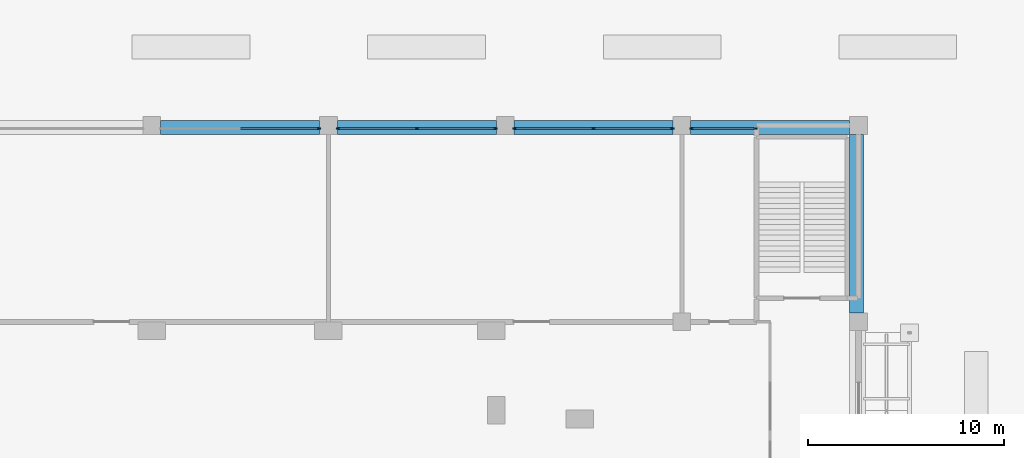
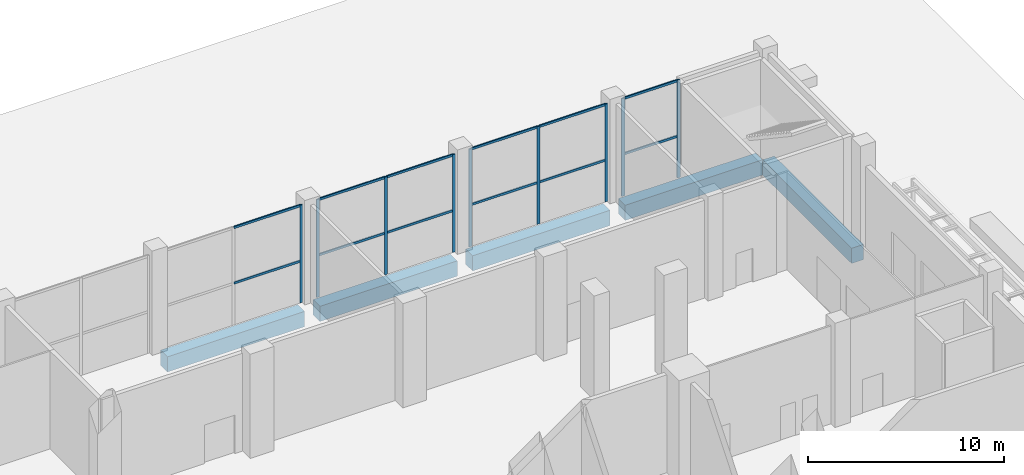
# One storey, part 26 of 39: 21 members, 5 beams, 4 elements without a shape of their own.
"""IFC4 building model written with IfcOpenShell, lengths in metres."""

from ifc_helpers import new_model, si_unit, direction, frame, origin, origin_2d, place, context, subcontext, project, spatial, rectangle, extrude, material, layer, layer_set, material_profile, profile_set, type_object, element, aggregate, save


model = new_model("IFC4")

# Units and contexts
model_context = context("Model", 3, precision=1e-05, world=origin(), true_north=direction((0.0, 1.0)))
body_context = subcontext(model_context, "Body", "Model", "MODEL_VIEW")
ifc_project = project(units=[si_unit("LENGTHUNIT", "METRE"), si_unit("AREAUNIT", "SQUARE_METRE"), si_unit("VOLUMEUNIT", "CUBIC_METRE"), si_unit("PLANEANGLEUNIT", "RADIAN"), si_unit("MASSUNIT", "GRAM", prefix="KILO")], contexts=[model_context])

# Site, building, storey
site_placement = place(None, origin())
site = spatial("IfcSite", under=ifc_project, at=site_placement, CompositionType="ELEMENT")
building_placement = place(site_placement, origin())
building = spatial("IfcBuilding", under=site, at=building_placement, Name="Brigalow Station Residences", CompositionType="ELEMENT")
storey_placement = place(building_placement, origin())
storey = spatial("IfcBuildingStorey", under=building, at=storey_placement, Name="L00", CompositionType="ELEMENT", Elevation=0.0)

# Beams
ifc_material_1 = material(Name="Concrete C65", Category="concrete")
ifc_material_profile_1 = material_profile(ifc_material_1, rectangle(XDim=0.699951171875, YDim=0.949951171875, at=origin_2d()), Name="RC700x950")
ifc_profile_set_1 = profile_set([ifc_material_profile_1], Name="Concrete C65")
beam_type = type_object("IfcBeamType", Name="EDGE GIRDER 4.5 TO 9.9 M SPAN 700x950 C65", PredefinedType="BEAM", material=ifc_profile_set_1)
beam_placement = place(storey_placement, frame((89.89990234375, 48.949951171875, -0.876953125), z_axis=(0.0, 1.0, 0.0), x_axis=(-1.0, 0.0, 0.0)))
element("IfcBeam", 1, at=beam_placement, inside=storey, type_object=beam_type, Name="PODIUM EDGE GIRDER E18 L00", PredefinedType="BEAM", context=body_context, shape_type="SweptSolid", body=[
    extrude(rectangle(XDim=0.699951171875, YDim=0.949951171875, at=origin_2d()), origin(), (0.0, 0.0, 1.0), 9.10009765625),
])
for number, where, z_axis, x_axis, name in (
    (2, (54.449951171875, 58.39990234375, -0.876953125), (1.0, 0.0, 0.0), (0.0, 1.0, 0.0), "PODIUM EDGE GIRDER N27 L00"),
    (3, (63.449951171875, 58.39990234375, -0.876953125), (1.0, 0.0, 0.0), (0.0, 1.0, 0.0), "PODIUM EDGE GIRDER N28 L00"),
    (4, (72.449951171875, 58.39990234375, -0.876953125), (1.0, 0.0, 0.0), (0.0, 1.0, 0.0), "PODIUM EDGE GIRDER N29 L00"),
    (5, (81.449951171875, 58.39990234375, -0.876953125), (1.0, 0.0, 0.0), (0.0, 1.0, 0.0), "PODIUM EDGE GIRDER N30 L00"),
):
    element("IfcBeam", number, at=place(storey_placement, frame(where, z_axis=z_axis, x_axis=x_axis)), inside=storey, type_object=beam_type, Name=name, PredefinedType="BEAM", context=body_context, shape_type="SweptSolid", body=[
        extrude(rectangle(XDim=0.699951171875, YDim=0.949951171875, at=origin_2d()), origin(), (0.0, 0.0, 1.0), 8.10009765625),
    ])

# Curtain wall, members
ifc_material_2 = material(Name="Aluminium", Category="aluminium")
ifc_layer = layer(ifc_material_2, 0.179931640625)
ifc_layer_set = layer_set([ifc_layer], Name="STATION CONCOURSE SHOPFRONT GLAZING CURTAIN WALL")
curtain_wall_type = type_object("IfcCurtainWallType", Name="STATION CONCOURSE SHOPFRONT GLAZING CURTAIN WALL", PredefinedType="NOTDEFINED", material=ifc_layer_set)
curtain_wall_1_placement = place(storey_placement, origin())
curtain_wall_1 = element("IfcCurtainWall", 6, at=curtain_wall_1_placement, inside=storey, type_object=curtain_wall_type, Name="L00/cw/podium-W-L00-19-3", PredefinedType="NOTDEFINED")
ifc_material_3 = material(Name="Aluminium", Category="aluminium")
ifc_material_profile_2 = material_profile(ifc_material_3, rectangle(XDim=0.074951171875, YDim=0.179931640625, at=origin_2d()), Name="STATION CONCOURSE SHOPFRONT GLAZING MULLION 75x180")
ifc_profile_set_2 = profile_set([ifc_material_profile_2], Name="Aluminium")
member_type_1 = type_object("IfcMemberType", Name="STATION CONCOURSE SHOPFRONT GLAZING MULLION 75x180", PredefinedType="MULLION", material=ifc_profile_set_2)
member_1_placement = place(storey_placement, frame((84.762451171875, 58.35009765625, 0.0), z_axis=(0.0, 0.0, 1.0), x_axis=(0.0, -1.0, 0.0)))
member_1 = element("IfcMember", 7, at=member_1_placement, type_object=member_type_1, Name="L00/cw/podium-W-L00-19-3/M00", PredefinedType="MULLION", context=body_context, shape_type="SweptSolid", body=[
    extrude(rectangle(XDim=0.074951171875, YDim=0.179931640625, at=origin_2d()), origin(), (0.0, 0.0, 1.0), 6.097900390625),
])
member_2_placement = place(storey_placement, frame((81.487548828125, 58.35009765625, 0.0), z_axis=(0.0, 0.0, 1.0), x_axis=(0.0, -1.0, 0.0)))
member_2 = element("IfcMember", 8, at=member_2_placement, type_object=member_type_1, Name="L00/cw/podium-W-L00-19-3/M01", PredefinedType="MULLION", context=body_context, shape_type="SweptSolid", body=[
    extrude(rectangle(XDim=0.074951171875, YDim=0.179931640625, at=origin_2d()), origin(), (0.0, 0.0, 1.0), 6.097900390625),
])

curtain_wall_2_placement = place(storey_placement, origin())
curtain_wall_2 = element("IfcCurtainWall", 9, at=curtain_wall_2_placement, inside=storey, type_object=curtain_wall_type, Name="L00/cw/podium-W-L00-19-4", PredefinedType="NOTDEFINED")
member_3_placement = place(storey_placement, frame((80.512451171875, 58.35009765625, 0.0), z_axis=(0.0, 0.0, 1.0), x_axis=(0.0, -1.0, 0.0)))
member_3 = element("IfcMember", 10, at=member_3_placement, type_object=member_type_1, Name="L00/cw/podium-W-L00-19-4/M00", PredefinedType="MULLION", context=body_context, shape_type="SweptSolid", body=[
    extrude(rectangle(XDim=0.074951171875, YDim=0.179931640625, at=origin_2d()), origin(), (0.0, 0.0, 1.0), 6.097900390625),
])
member_4_placement = place(storey_placement, frame((76.5, 58.35009765625, 0.0), z_axis=(0.0, 0.0, 1.0), x_axis=(0.0, -1.0, 0.0)))
member_4 = element("IfcMember", 11, at=member_4_placement, type_object=member_type_1, Name="L00/cw/podium-W-L00-19-4/M01", PredefinedType="MULLION", context=body_context, shape_type="SweptSolid", body=[
    extrude(rectangle(XDim=0.074951171875, YDim=0.179931640625, at=origin_2d()), origin(), (0.0, 0.0, 1.0), 6.097900390625),
])
member_5_placement = place(storey_placement, frame((72.487548828125, 58.35009765625, 0.0), z_axis=(0.0, 0.0, 1.0), x_axis=(0.0, -1.0, 0.0)))
member_5 = element("IfcMember", 12, at=member_5_placement, type_object=member_type_1, Name="L00/cw/podium-W-L00-19-4/M02", PredefinedType="MULLION", context=body_context, shape_type="SweptSolid", body=[
    extrude(rectangle(XDim=0.074951171875, YDim=0.179931640625, at=origin_2d()), origin(), (0.0, 0.0, 1.0), 6.097900390625),
])

curtain_wall_3_placement = place(storey_placement, origin())
curtain_wall_3 = element("IfcCurtainWall", 13, at=curtain_wall_3_placement, inside=storey, type_object=curtain_wall_type, Name="L00/cw/podium-W-L00-19-5", PredefinedType="NOTDEFINED")
member_6_placement = place(storey_placement, frame((71.512451171875, 58.35009765625, 0.0), z_axis=(0.0, 0.0, 1.0), x_axis=(0.0, -1.0, 0.0)))
member_6 = element("IfcMember", 14, at=member_6_placement, type_object=member_type_1, Name="L00/cw/podium-W-L00-19-5/M00", PredefinedType="MULLION", context=body_context, shape_type="SweptSolid", body=[
    extrude(rectangle(XDim=0.074951171875, YDim=0.179931640625, at=origin_2d()), origin(), (0.0, 0.0, 1.0), 6.097900390625),
])
member_7_placement = place(storey_placement, frame((67.5, 58.35009765625, 0.0), z_axis=(0.0, 0.0, 1.0), x_axis=(0.0, -1.0, 0.0)))
member_7 = element("IfcMember", 15, at=member_7_placement, type_object=member_type_1, Name="L00/cw/podium-W-L00-19-5/M01", PredefinedType="MULLION", context=body_context, shape_type="SweptSolid", body=[
    extrude(rectangle(XDim=0.074951171875, YDim=0.179931640625, at=origin_2d()), origin(), (0.0, 0.0, 1.0), 6.097900390625),
])
member_8_placement = place(storey_placement, frame((63.487548828125, 58.35009765625, 0.0), z_axis=(0.0, 0.0, 1.0), x_axis=(0.0, -1.0, 0.0)))
member_8 = element("IfcMember", 16, at=member_8_placement, type_object=member_type_1, Name="L00/cw/podium-W-L00-19-5/M02", PredefinedType="MULLION", context=body_context, shape_type="SweptSolid", body=[
    extrude(rectangle(XDim=0.074951171875, YDim=0.179931640625, at=origin_2d()), origin(), (0.0, 0.0, 1.0), 6.097900390625),
])

# Curtain wall, member
curtain_wall_4_placement = place(storey_placement, origin())
curtain_wall_4 = element("IfcCurtainWall", 17, at=curtain_wall_4_placement, inside=storey, type_object=curtain_wall_type, Name="L00/cw/podium-W-L00-19-6", PredefinedType="NOTDEFINED")
member_9_placement = place(storey_placement, frame((62.512451171875, 58.35009765625, 0.0), z_axis=(0.0, 0.0, 1.0), x_axis=(0.0, -1.0, 0.0)))
member_9 = element("IfcMember", 18, at=member_9_placement, type_object=member_type_1, Name="L00/cw/podium-W-L00-19-6/M00", PredefinedType="MULLION", context=body_context, shape_type="SweptSolid", body=[
    extrude(rectangle(XDim=0.074951171875, YDim=0.179931640625, at=origin_2d()), origin(), (0.0, 0.0, 1.0), 6.097900390625),
])

# Member
ifc_material_4 = material(Name="Aluminium", Category="aluminium")
ifc_material_profile_3 = material_profile(ifc_material_4, rectangle(XDim=0.074951171875, YDim=0.139892578125, at=origin_2d()), Name="STATION CONCOURSE SHOPFRONT GLAZING TRANSOM 75x140")
ifc_profile_set_3 = profile_set([ifc_material_profile_3], Name="Aluminium")
member_type_2 = type_object("IfcMemberType", Name="STATION CONCOURSE SHOPFRONT GLAZING TRANSOM 75x140", PredefinedType="USERDEFINED", material=ifc_profile_set_3)
member_10_placement = place(storey_placement, frame((84.72509765625, 58.35009765625, 2.60009765625), z_axis=(-1.0, 0.0, 0.0), x_axis=(0.0, -1.0, 0.0)))
member_10 = element("IfcMember", 19, at=member_10_placement, type_object=member_type_2, Name="L00/cw/podium-W-L00-19-3/T00-00", ObjectType="TRANSOM", PredefinedType="USERDEFINED", context=body_context, shape_type="SweptSolid", body=[
    extrude(rectangle(XDim=0.074951171875, YDim=0.139892578125, at=origin_2d()), origin(), (0.0, 0.0, 1.0), 3.2001953125),
])

member_11_placement = place(storey_placement, frame((84.72509765625, 58.35009765625, 6.060546875), z_axis=(-1.0, 0.0, 0.0), x_axis=(0.0, -1.0, 0.0)))
member_11 = element("IfcMember", 20, at=member_11_placement, type_object=member_type_2, Name="L00/cw/podium-W-L00-19-3/T00-01", ObjectType="TRANSOM", PredefinedType="USERDEFINED", context=body_context, shape_type="SweptSolid", body=[
    extrude(rectangle(XDim=0.074951171875, YDim=0.139892578125, at=origin_2d()), origin(), (0.0, 0.0, 1.0), 3.2001953125),
])

aggregate(curtain_wall_1, [member_1, member_2, member_10, member_11])

member_12_placement = place(storey_placement, frame((80.47509765625, 58.35009765625, 2.60009765625), z_axis=(-1.0, 0.0, 0.0), x_axis=(0.0, -1.0, 0.0)))
member_12 = element("IfcMember", 21, at=member_12_placement, type_object=member_type_2, Name="L00/cw/podium-W-L00-19-4/T00-00", ObjectType="TRANSOM", PredefinedType="USERDEFINED", context=body_context, shape_type="SweptSolid", body=[
    extrude(rectangle(XDim=0.074951171875, YDim=0.139892578125, at=origin_2d()), origin(), (0.0, 0.0, 1.0), 3.9375),
])

member_13_placement = place(storey_placement, frame((80.47509765625, 58.35009765625, 6.060546875), z_axis=(-1.0, 0.0, 0.0), x_axis=(0.0, -1.0, 0.0)))
member_13 = element("IfcMember", 22, at=member_13_placement, type_object=member_type_2, Name="L00/cw/podium-W-L00-19-4/T00-01", ObjectType="TRANSOM", PredefinedType="USERDEFINED", context=body_context, shape_type="SweptSolid", body=[
    extrude(rectangle(XDim=0.074951171875, YDim=0.139892578125, at=origin_2d()), origin(), (0.0, 0.0, 1.0), 3.9375),
])

member_14_placement = place(storey_placement, frame((76.46240234375, 58.35009765625, 2.60009765625), z_axis=(-1.0, 0.0, 0.0), x_axis=(0.0, -1.0, 0.0)))
member_14 = element("IfcMember", 23, at=member_14_placement, type_object=member_type_2, Name="L00/cw/podium-W-L00-19-4/T01-00", ObjectType="TRANSOM", PredefinedType="USERDEFINED", context=body_context, shape_type="SweptSolid", body=[
    extrude(rectangle(XDim=0.074951171875, YDim=0.139892578125, at=origin_2d()), origin(), (0.0, 0.0, 1.0), 3.9375),
])

member_15_placement = place(storey_placement, frame((76.46240234375, 58.35009765625, 6.060546875), z_axis=(-1.0, 0.0, 0.0), x_axis=(0.0, -1.0, 0.0)))
member_15 = element("IfcMember", 24, at=member_15_placement, type_object=member_type_2, Name="L00/cw/podium-W-L00-19-4/T01-01", ObjectType="TRANSOM", PredefinedType="USERDEFINED", context=body_context, shape_type="SweptSolid", body=[
    extrude(rectangle(XDim=0.074951171875, YDim=0.139892578125, at=origin_2d()), origin(), (0.0, 0.0, 1.0), 3.9375),
])

aggregate(curtain_wall_2, [member_3, member_4, member_5, member_12, member_13, member_14, member_15])

member_16_placement = place(storey_placement, frame((71.47509765625, 58.35009765625, 2.60009765625), z_axis=(-1.0, 0.0, 0.0), x_axis=(0.0, -1.0, 0.0)))
member_16 = element("IfcMember", 25, at=member_16_placement, type_object=member_type_2, Name="L00/cw/podium-W-L00-19-5/T00-00", ObjectType="TRANSOM", PredefinedType="USERDEFINED", context=body_context, shape_type="SweptSolid", body=[
    extrude(rectangle(XDim=0.074951171875, YDim=0.139892578125, at=origin_2d()), origin(), (0.0, 0.0, 1.0), 3.9375),
])

member_17_placement = place(storey_placement, frame((71.47509765625, 58.35009765625, 6.060546875), z_axis=(-1.0, 0.0, 0.0), x_axis=(0.0, -1.0, 0.0)))
member_17 = element("IfcMember", 26, at=member_17_placement, type_object=member_type_2, Name="L00/cw/podium-W-L00-19-5/T00-01", ObjectType="TRANSOM", PredefinedType="USERDEFINED", context=body_context, shape_type="SweptSolid", body=[
    extrude(rectangle(XDim=0.074951171875, YDim=0.139892578125, at=origin_2d()), origin(), (0.0, 0.0, 1.0), 3.9375),
])

member_18_placement = place(storey_placement, frame((67.46240234375, 58.35009765625, 2.60009765625), z_axis=(-1.0, 0.0, 0.0), x_axis=(0.0, -1.0, 0.0)))
member_18 = element("IfcMember", 27, at=member_18_placement, type_object=member_type_2, Name="L00/cw/podium-W-L00-19-5/T01-00", ObjectType="TRANSOM", PredefinedType="USERDEFINED", context=body_context, shape_type="SweptSolid", body=[
    extrude(rectangle(XDim=0.074951171875, YDim=0.139892578125, at=origin_2d()), origin(), (0.0, 0.0, 1.0), 3.9375),
])

member_19_placement = place(storey_placement, frame((67.46240234375, 58.35009765625, 6.060546875), z_axis=(-1.0, 0.0, 0.0), x_axis=(0.0, -1.0, 0.0)))
member_19 = element("IfcMember", 28, at=member_19_placement, type_object=member_type_2, Name="L00/cw/podium-W-L00-19-5/T01-01", ObjectType="TRANSOM", PredefinedType="USERDEFINED", context=body_context, shape_type="SweptSolid", body=[
    extrude(rectangle(XDim=0.074951171875, YDim=0.139892578125, at=origin_2d()), origin(), (0.0, 0.0, 1.0), 3.9375),
])

aggregate(curtain_wall_3, [member_6, member_7, member_8, member_16, member_17, member_18, member_19])

member_20_placement = place(storey_placement, frame((62.47509765625, 58.35009765625, 2.60009765625), z_axis=(-1.0, 0.0, 0.0), x_axis=(0.0, -1.0, 0.0)))
member_20 = element("IfcMember", 29, at=member_20_placement, type_object=member_type_2, Name="L00/cw/podium-W-L00-19-6/T00-00", ObjectType="TRANSOM", PredefinedType="USERDEFINED", context=body_context, shape_type="SweptSolid", body=[
    extrude(rectangle(XDim=0.074951171875, YDim=0.139892578125, at=origin_2d()), origin(), (0.0, 0.0, 1.0), 3.9375),
])

member_21_placement = place(storey_placement, frame((62.47509765625, 58.35009765625, 6.060546875), z_axis=(-1.0, 0.0, 0.0), x_axis=(0.0, -1.0, 0.0)))
member_21 = element("IfcMember", 30, at=member_21_placement, type_object=member_type_2, Name="L00/cw/podium-W-L00-19-6/T00-01", ObjectType="TRANSOM", PredefinedType="USERDEFINED", context=body_context, shape_type="SweptSolid", body=[
    extrude(rectangle(XDim=0.074951171875, YDim=0.139892578125, at=origin_2d()), origin(), (0.0, 0.0, 1.0), 3.9375),
])

aggregate(curtain_wall_4, [member_9, member_20, member_21])

save(model, "model.ifc")
